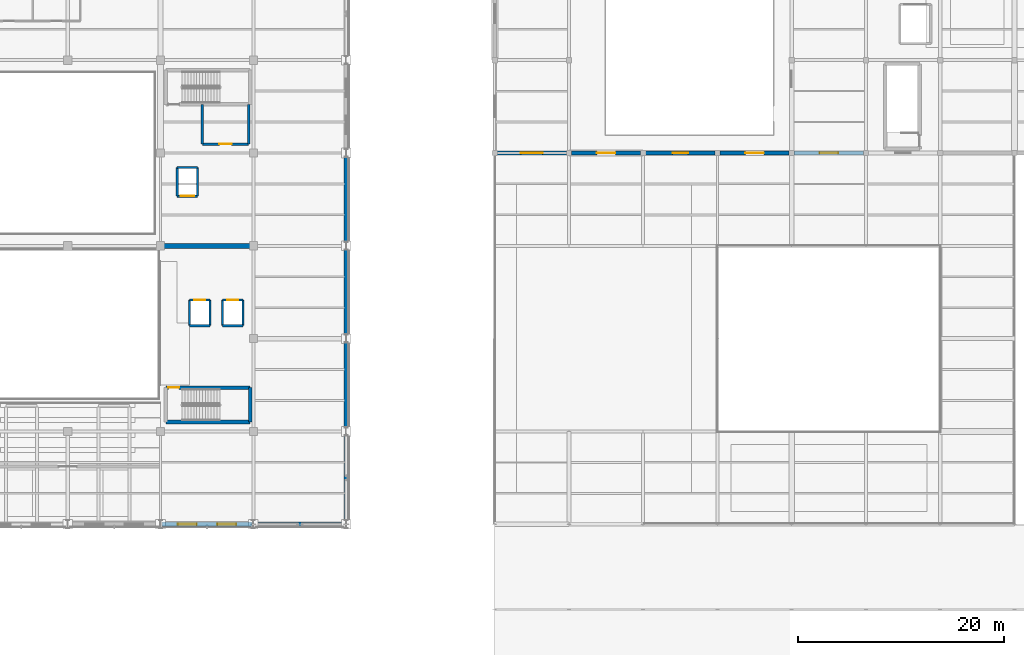
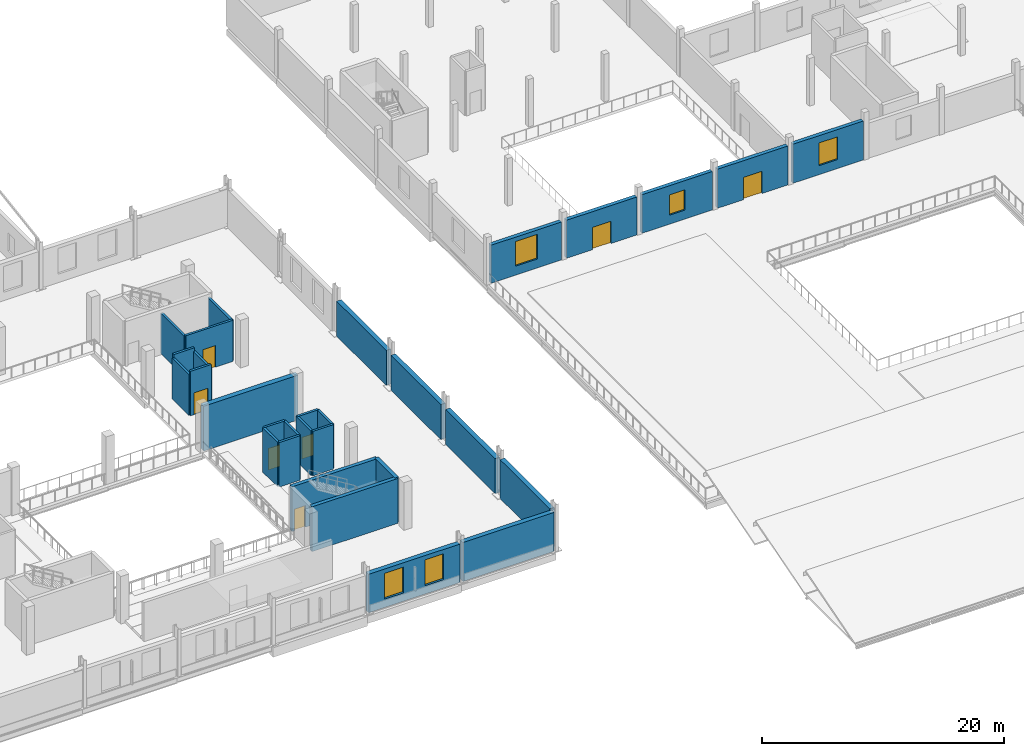
# One storey, part 34 of 54: 30 walls, 7 doors, 5 windows, 12 openings.
"""IFC4 building model written with IfcOpenShell, lengths in metres."""

from ifc_helpers import new_model, si_unit, direction, frame, frame_2d, origin, place, context, subcontext, project, spatial, rectangle, extrude, material, layer, layer_set, type_object, element, fill, save


model = new_model("IFC4")

# Units and contexts
model_context = context("Model", 3, precision=1e-05, world=origin(), true_north=direction((0.0, 1.0)))
body_context = subcontext(model_context, "Body", "Model", "MODEL_VIEW")
ifc_project = project(units=[si_unit("LENGTHUNIT", "METRE"), si_unit("AREAUNIT", "SQUARE_METRE"), si_unit("VOLUMEUNIT", "CUBIC_METRE"), si_unit("PLANEANGLEUNIT", "RADIAN"), si_unit("MASSUNIT", "GRAM", prefix="KILO")], contexts=[model_context])

# Site, building, storey
site_placement = place(None, origin())
site = spatial("IfcSite", under=ifc_project, at=site_placement, CompositionType="ELEMENT")
building_placement = place(site_placement, origin())
building = spatial("IfcBuilding", under=site, at=building_placement, Name="Sundgate Opera House", CompositionType="ELEMENT")
storey_placement = place(building_placement, frame((0.0, 0.0, 16.800048828125)))
storey = spatial("IfcBuildingStorey", under=building, at=storey_placement, Name="L03", CompositionType="ELEMENT", Elevation=16.800048828125)

# Wall
ifc_material_1 = material(Name="Concrete C40/50", Category="concrete")
ifc_layer_1 = layer(ifc_material_1, 0.35009765625)
ifc_layer_set_1 = layer_set([ifc_layer_1], Name="Concrete C40/50")
wall_type_1 = type_object("IfcWallType", Name="WL-CORE-350", PredefinedType="SHEAR", material=ifc_layer_set_1)
wall_1_placement = place(storey_placement, frame((63.510009765625, 42.909912109375, 0.0), z_axis=(0.0, 0.0, 1.0), x_axis=(1.0, 0.0, 0.0)))
element("IfcWall", 1, at=wall_1_placement, inside=storey, type_object=wall_type_1, Name="L03 C3 South Shaft Wall", PredefinedType="SHEAR", context=body_context, shape_type="SweptSolid", body=[
    extrude(rectangle(XDim=8.179931640625, YDim=0.35009765625, at=frame_2d((4.08984375, 0.0))), origin(), (0.0, 0.0, 1.0), 4.52001953125),
])

# Wall, opening, door
wall_2_placement = place(storey_placement, frame((63.510009765625, 46.239990234375, 0.0), z_axis=(0.0, 0.0, 1.0), x_axis=(1.0, 0.0, 0.0)))
wall_2 = element("IfcWall", 2, at=wall_2_placement, inside=storey, type_object=wall_type_1, Name="L03 C3 North Shaft Wall", PredefinedType="SHEAR", context=body_context, shape_type="SweptSolid", body=[
    extrude(rectangle(XDim=8.179931640625, YDim=0.35009765625, at=frame_2d((4.08984375, 0.0))), origin(), (0.0, 0.0, 1.0), 4.52001953125),
])
opening_1_placement = place(wall_2_placement, frame((0.239990234375, 0.0, 0.0)))
opening_1 = element("IfcOpeningElement", 3, at=opening_1_placement, cuts=wall_2, Name="Opening DI01", PredefinedType="OPENING", context=body_context, shape_type="SweptSolid", body=[
    extrude(rectangle(XDim=1.050048828125, YDim=2.179931640625, at=frame_2d((0.52490234375, 1.08984375))), frame((0.0, 0.18505859375, 0.0), z_axis=(0.0, -1.0, 0.0), x_axis=(1.0, 0.0, 0.0)), (0.0, 0.0, 1.0), 0.3701171875),
])
ifc_material_2 = material(Name="Acoustic hardwood timber and steel core", Category="steel")
door_type_1 = type_object("IfcDoorType", Name="DR-STAIR-1050x2180", OperationType="NOTDEFINED", PredefinedType="DOOR", material=ifc_material_2)
door_1_placement = place(opening_1_placement, origin())
door_1 = element("IfcDoor", 4, at=door_1_placement, inside=storey, type_object=door_type_1, Name="L03 C3 Stair Door D0052", OperationType="SINGLE_SWING_RIGHT", OverallHeight=2.179931640625, OverallWidth=1.050048828125, PredefinedType="DOOR", context=body_context, shape_type="SweptSolid", body=[
    extrude(rectangle(XDim=1.050048828125, YDim=2.179931640625, at=frame_2d((0.52490234375, 1.08984375))), frame((0.0, 0.02490234375, 0.0), z_axis=(0.0, -1.0, 0.0), x_axis=(1.0, 0.0, 0.0)), (0.0, 0.0, 1.0), 0.050048828125),
])
fill(opening_1, door_1)

# Wall
wall_3_placement = place(storey_placement, frame((71.68994140625, 42.909912109375, 0.0), z_axis=(0.0, 0.0, 1.0), x_axis=(0.0, 1.0, 0.0)))
element("IfcWall", 5, at=wall_3_placement, inside=storey, type_object=wall_type_1, Name="L03 C3 East Shaft Wall", PredefinedType="SHEAR", context=body_context, shape_type="SweptSolid", body=[
    extrude(rectangle(XDim=3.330078125, YDim=0.35009765625, at=frame_2d((1.6650390625, 0.0))), origin(), (0.0, 0.0, 1.0), 4.52001953125),
])

# Wall, opening, window
ifc_material_3 = material(Name="Scanian red-brown facing brick masonry", Category="masonry")
ifc_layer_2 = layer(ifc_material_3, 0.360107421875)
ifc_layer_set_2 = layer_set([ifc_layer_2], Name="Scanian red-brown facing brick masonry")
wall_type_2 = type_object("IfcWallType", Name="WL-EXT-BRICK-360", PredefinedType="SOLIDWALL", material=ifc_layer_set_2)
wall_4_placement = place(storey_placement, frame((102.35498046875, 69.0, 0.0), z_axis=(0.0, 0.0, 1.0), x_axis=(-1.0, 0.0, 0.0)))
wall_4 = element("IfcWall", 6, at=wall_4_placement, inside=storey, type_object=wall_type_2, Name="L03 Conservatory South Brick Wall W0257", PredefinedType="SOLIDWALL", context=body_context, shape_type="SweptSolid", body=[
    extrude(rectangle(XDim=6.7099609375, YDim=0.360107421875, at=frame_2d((3.35498046875, 0.0))), origin(), (0.0, 0.0, 1.0), 3.8349609375),
])
opening_2_placement = place(wall_4_placement, frame((2.304931640625, 0.0, 0.89990234375)))
opening_2 = element("IfcOpeningElement", 7, at=opening_2_placement, cuts=wall_4, Name="Opening W04", PredefinedType="OPENING", context=body_context, shape_type="SweptSolid", body=[
    extrude(rectangle(XDim=2.10009765625, YDim=2.5, at=frame_2d((1.050048828125, 1.25))), frame((0.0, 0.18994140625, 0.0), z_axis=(0.0, -1.0, 0.0), x_axis=(1.0, 0.0, 0.0)), (0.0, 0.0, 1.0), 0.380126953125),
])
ifc_material_4 = material(Name="Low-iron triple glazing in patinated bronze frame", Category="glass")
window_type_1 = type_object("IfcWindowType", Name="WN-CONS-2100x2500", PartitioningType="SINGLE_PANEL", PredefinedType="WINDOW", material=ifc_material_4)
window_1_placement = place(opening_2_placement, origin())
window_1 = element("IfcWindow", 8, at=window_1_placement, inside=storey, type_object=window_type_1, Name="L03 Conservatory Window WN0205", OverallHeight=2.5, OverallWidth=2.10009765625, PartitioningType="SINGLE_PANEL", PredefinedType="WINDOW", context=body_context, shape_type="SweptSolid", body=[
    extrude(rectangle(XDim=2.10009765625, YDim=2.5, at=frame_2d((1.050048828125, 1.25))), frame((0.0, 0.030029296875, 0.0), z_axis=(0.0, -1.0, 0.0), x_axis=(1.0, 0.0, 0.0)), (0.0, 0.0, 1.0), 0.06005859375),
])
fill(opening_2, window_1)

# Wall, opening, door
wall_5_placement = place(storey_placement, frame((109.554931640625, 69.0, 0.0), z_axis=(0.0, 0.0, 1.0), x_axis=(-1.0, 0.0, 0.0)))
wall_5 = element("IfcWall", 9, at=wall_5_placement, inside=storey, type_object=wall_type_2, Name="L03 Conservatory South Brick Wall W0258", PredefinedType="SOLIDWALL", context=body_context, shape_type="SweptSolid", body=[
    extrude(rectangle(XDim=6.7099609375, YDim=0.360107421875, at=frame_2d((3.35498046875, 0.0))), origin(), (0.0, 0.0, 1.0), 3.8349609375),
])
opening_3_placement = place(wall_5_placement, frame((2.455078125, 0.0, 0.0)))
opening_3 = element("IfcOpeningElement", 10, at=opening_3_placement, cuts=wall_5, Name="Opening DE2", PredefinedType="OPENING", context=body_context, shape_type="SweptSolid", body=[
    extrude(rectangle(XDim=1.800048828125, YDim=2.25, at=frame_2d((0.89990234375, 1.125))), frame((0.0, 0.18994140625, 0.0), z_axis=(0.0, -1.0, 0.0), x_axis=(1.0, 0.0, 0.0)), (0.0, 0.0, 1.0), 0.380126953125),
])
ifc_material_5 = material(Name="Patinated bronze and laminated safety glass", Category="glass")
door_type_2 = type_object("IfcDoorType", Name="DR-TERR-1800x2250", OperationType="NOTDEFINED", PredefinedType="DOOR", material=ifc_material_5)
door_2_placement = place(opening_3_placement, origin())
door_2 = element("IfcDoor", 11, at=door_2_placement, inside=storey, type_object=door_type_2, Name="L03 Roof Terrace Access Door D0023", OperationType="SINGLE_SWING_RIGHT", OverallHeight=2.25, OverallWidth=1.800048828125, PredefinedType="DOOR", context=body_context, shape_type="SweptSolid", body=[
    extrude(rectangle(XDim=1.800048828125, YDim=2.25, at=frame_2d((0.89990234375, 1.125))), frame((0.0, 0.02490234375, 0.0), z_axis=(0.0, -1.0, 0.0), x_axis=(1.0, 0.0, 0.0)), (0.0, 0.0, 1.0), 0.050048828125),
])
fill(opening_3, door_2)

# Wall, opening, window
wall_6_placement = place(storey_placement, frame((116.7548828125, 69.0, 0.0), z_axis=(0.0, 0.0, 1.0), x_axis=(-1.0, 0.0, 0.0)))
wall_6 = element("IfcWall", 12, at=wall_6_placement, inside=storey, type_object=wall_type_2, Name="L03 Conservatory South Brick Wall W0259", PredefinedType="SOLIDWALL", context=body_context, shape_type="SweptSolid", body=[
    extrude(rectangle(XDim=6.7099609375, YDim=0.360107421875, at=frame_2d((3.35498046875, 0.0))), origin(), (0.0, 0.0, 1.0), 3.885009765625),
])
opening_4_placement = place(wall_6_placement, frame((2.60498046875, 0.0, 0.89990234375)))
opening_4 = element("IfcOpeningElement", 13, at=opening_4_placement, cuts=wall_6, Name="Opening W06", PredefinedType="OPENING", context=body_context, shape_type="SweptSolid", body=[
    extrude(rectangle(XDim=1.5, YDim=2.050048828125, at=frame_2d((0.75, 1.02490234375))), frame((0.0, 0.18994140625, 0.0), z_axis=(0.0, -1.0, 0.0), x_axis=(1.0, 0.0, 0.0)), (0.0, 0.0, 1.0), 0.380126953125),
])
ifc_material_6 = material(Name="Low-iron triple glazing in patinated bronze frame", Category="glass")
window_type_2 = type_object("IfcWindowType", Name="WN-CONS-1500x2050", PartitioningType="SINGLE_PANEL", PredefinedType="WINDOW", material=ifc_material_6)
window_2_placement = place(opening_4_placement, origin())
window_2 = element("IfcWindow", 14, at=window_2_placement, inside=storey, type_object=window_type_2, Name="L03 Conservatory Window WN0206", OverallHeight=2.050048828125, OverallWidth=1.5, PartitioningType="SINGLE_PANEL", PredefinedType="WINDOW", context=body_context, shape_type="SweptSolid", body=[
    extrude(rectangle(XDim=1.5, YDim=2.050048828125, at=frame_2d((0.75, 1.02490234375))), frame((0.0, 0.030029296875, 0.0), z_axis=(0.0, -1.0, 0.0), x_axis=(1.0, 0.0, 0.0)), (0.0, 0.0, 1.0), 0.06005859375),
])
fill(opening_4, window_2)

# Wall, opening, door
wall_7_placement = place(storey_placement, frame((123.955078125, 69.0, 0.0), z_axis=(0.0, 0.0, 1.0), x_axis=(-1.0, 0.0, 0.0)))
wall_7 = element("IfcWall", 15, at=wall_7_placement, inside=storey, type_object=wall_type_2, Name="L03 Conservatory South Brick Wall W0260", PredefinedType="SOLIDWALL", context=body_context, shape_type="SweptSolid", body=[
    extrude(rectangle(XDim=6.7099609375, YDim=0.360107421875, at=frame_2d((3.35498046875, 0.0))), origin(), (0.0, 0.0, 1.0), 3.93505859375),
])
opening_5_placement = place(wall_7_placement, frame((2.455078125, 0.0, 0.0)))
opening_5 = element("IfcOpeningElement", 16, at=opening_5_placement, cuts=wall_7, Name="Opening DE2", PredefinedType="OPENING", context=body_context, shape_type="SweptSolid", body=[
    extrude(rectangle(XDim=1.800048828125, YDim=2.25, at=frame_2d((0.89990234375, 1.125))), frame((0.0, 0.18994140625, 0.0), z_axis=(0.0, -1.0, 0.0), x_axis=(1.0, 0.0, 0.0)), (0.0, 0.0, 1.0), 0.380126953125),
])
door_3_placement = place(opening_5_placement, origin())
door_3 = element("IfcDoor", 17, at=door_3_placement, inside=storey, type_object=door_type_2, Name="L03 Roof Terrace Access Door D0024", OperationType="SINGLE_SWING_LEFT", OverallHeight=2.25, OverallWidth=1.800048828125, PredefinedType="DOOR", context=body_context, shape_type="SweptSolid", body=[
    extrude(rectangle(XDim=1.800048828125, YDim=2.25, at=frame_2d((0.89990234375, 1.125))), frame((0.0, 0.02490234375, 0.0), z_axis=(0.0, -1.0, 0.0), x_axis=(1.0, 0.0, 0.0)), (0.0, 0.0, 1.0), 0.050048828125),
])
fill(opening_5, door_3)

# Wall, opening, window
wall_8_placement = place(storey_placement, frame((131.155029296875, 69.0, 0.0), z_axis=(0.0, 0.0, 1.0), x_axis=(-1.0, 0.0, 0.0)))
wall_8 = element("IfcWall", 18, at=wall_8_placement, inside=storey, type_object=wall_type_2, Name="L03 Conservatory South Brick Wall W0261", PredefinedType="SOLIDWALL", context=body_context, shape_type="SweptSolid", body=[
    extrude(rectangle(XDim=6.7099609375, YDim=0.360107421875, at=frame_2d((3.35498046875, 0.0))), origin(), (0.0, 0.0, 1.0), 3.93505859375),
])
opening_6_placement = place(wall_8_placement, frame((2.455078125, 0.0, 0.89990234375)))
opening_6 = element("IfcOpeningElement", 19, at=opening_6_placement, cuts=wall_8, Name="Opening W05", PredefinedType="OPENING", context=body_context, shape_type="SweptSolid", body=[
    extrude(rectangle(XDim=1.800048828125, YDim=2.300048828125, at=frame_2d((0.89990234375, 1.14990234375))), frame((0.0, 0.18994140625, 0.0), z_axis=(0.0, -1.0, 0.0), x_axis=(1.0, 0.0, 0.0)), (0.0, 0.0, 1.0), 0.380126953125),
])
ifc_material_7 = material(Name="Low-iron triple glazing in patinated bronze frame", Category="glass")
window_type_3 = type_object("IfcWindowType", Name="WN-CONS-1800x2300", PartitioningType="SINGLE_PANEL", PredefinedType="WINDOW", material=ifc_material_7)
window_3_placement = place(opening_6_placement, origin())
window_3 = element("IfcWindow", 20, at=window_3_placement, inside=storey, type_object=window_type_3, Name="L03 Conservatory Window WN0207", OverallHeight=2.300048828125, OverallWidth=1.800048828125, PartitioningType="SINGLE_PANEL", PredefinedType="WINDOW", context=body_context, shape_type="SweptSolid", body=[
    extrude(rectangle(XDim=1.800048828125, YDim=2.300048828125, at=frame_2d((0.89990234375, 1.14990234375))), frame((0.0, 0.030029296875, 0.0), z_axis=(0.0, -1.0, 0.0), x_axis=(1.0, 0.0, 0.0)), (0.0, 0.0, 1.0), 0.06005859375),
])
fill(opening_6, window_3)

# Wall, openings, windows
ifc_material_8 = material(Name="Komstad limestone ashlar masonry", Category="masonry")
ifc_layer_3 = layer(ifc_material_8, 0.43994140625)
ifc_layer_set_3 = layer_set([ifc_layer_3], Name="Komstad limestone ashlar masonry")
wall_type_3 = type_object("IfcWallType", Name="WL-EXT-LIME-440", PredefinedType="SOLIDWALL", material=ifc_layer_set_3)
wall_9_placement = place(storey_placement, frame((71.85498046875, 33.0, 0.0), z_axis=(0.0, 0.0, 1.0), x_axis=(-1.0, 0.0, 0.0)))
wall_9 = element("IfcWall", 21, at=wall_9_placement, inside=storey, type_object=wall_type_3, Name="L03 Lifted Cube South Relief Wall W0077", PredefinedType="SOLIDWALL", context=body_context, shape_type="SweptSolid", body=[
    extrude(rectangle(XDim=8.7099609375, YDim=0.43994140625, at=frame_2d((4.35498046875, 0.0))), origin(), (0.0, 0.0, 1.0), 3.885009765625),
])
opening_7_placement = place(wall_9_placement, frame((1.5390625, 0.0, 0.85009765625)))
opening_7 = element("IfcOpeningElement", 22, at=opening_7_placement, cuts=wall_9, Name="Opening W01", PredefinedType="OPENING", context=body_context, shape_type="SweptSolid", body=[
    extrude(rectangle(XDim=1.800048828125, YDim=2.60009765625, at=frame_2d((0.89990234375, 1.300048828125))), frame((0.0, 0.22998046875, 0.0), z_axis=(0.0, -1.0, 0.0), x_axis=(1.0, 0.0, 0.0)), (0.0, 0.0, 1.0), 0.4599609375),
])
opening_8_placement = place(wall_9_placement, frame((5.37109375, 0.0, 0.85009765625)))
opening_8 = element("IfcOpeningElement", 23, at=opening_8_placement, cuts=wall_9, Name="Opening W01", PredefinedType="OPENING", context=body_context, shape_type="SweptSolid", body=[
    extrude(rectangle(XDim=1.800048828125, YDim=2.60009765625, at=frame_2d((0.89990234375, 1.300048828125))), frame((0.0, 0.22998046875, 0.0), z_axis=(0.0, -1.0, 0.0), x_axis=(1.0, 0.0, 0.0)), (0.0, 0.0, 1.0), 0.4599609375),
])
ifc_material_9 = material(Name="Low-iron triple glazing in patinated bronze frame", Category="glass")
window_type_4 = type_object("IfcWindowType", Name="WN-CUBE-1800x2600", PartitioningType="SINGLE_PANEL", PredefinedType="WINDOW", material=ifc_material_9)
window_4_placement = place(opening_7_placement, origin())
window_4 = element("IfcWindow", 24, at=window_4_placement, inside=storey, type_object=window_type_4, Name="L03 Cube Loggia Window WN0043", OverallHeight=2.60009765625, OverallWidth=1.800048828125, PartitioningType="SINGLE_PANEL", PredefinedType="WINDOW", context=body_context, shape_type="SweptSolid", body=[
    extrude(rectangle(XDim=1.800048828125, YDim=2.60009765625, at=frame_2d((0.89990234375, 1.300048828125))), frame((0.0, 0.030029296875, 0.0), z_axis=(0.0, -1.0, 0.0), x_axis=(1.0, 0.0, 0.0)), (0.0, 0.0, 1.0), 0.06005859375),
])
fill(opening_7, window_4)
window_5_placement = place(opening_8_placement, origin())
window_5 = element("IfcWindow", 25, at=window_5_placement, inside=storey, type_object=window_type_4, Name="L03 Cube Loggia Window WN0044", OverallHeight=2.60009765625, OverallWidth=1.800048828125, PartitioningType="SINGLE_PANEL", PredefinedType="WINDOW", context=body_context, shape_type="SweptSolid", body=[
    extrude(rectangle(XDim=1.800048828125, YDim=2.60009765625, at=frame_2d((0.89990234375, 1.300048828125))), frame((0.0, 0.030029296875, 0.0), z_axis=(0.0, -1.0, 0.0), x_axis=(1.0, 0.0, 0.0)), (0.0, 0.0, 1.0), 0.06005859375),
])
fill(opening_8, window_5)

# Walls
wall_10_placement = place(storey_placement, frame((80.85498046875, 33.0, 0.0), z_axis=(0.0, 0.0, 1.0), x_axis=(-1.0, 0.0, 0.0)))
element("IfcWall", 26, at=wall_10_placement, inside=storey, type_object=wall_type_3, Name="L03 Lifted Cube South Relief Wall W0079", PredefinedType="SOLIDWALL", context=body_context, shape_type="SweptSolid", body=[
    extrude(rectangle(XDim=8.7099609375, YDim=0.43994140625, at=frame_2d((4.35498046875, 0.0))), origin(), (0.0, 0.0, 1.0), 3.93505859375),
])
wall_11_placement = place(storey_placement, frame((81.0, 33.39501953125, 0.0), z_axis=(0.0, 0.0, 1.0), x_axis=(0.0, 1.0, 0.0)))
element("IfcWall", 27, at=wall_11_placement, inside=storey, type_object=wall_type_3, Name="L03 Lifted Cube East Relief Wall W0082", PredefinedType="SOLIDWALL", context=body_context, shape_type="SweptSolid", body=[
    extrude(rectangle(XDim=8.2099609375, YDim=0.43994140625, at=frame_2d((4.10498046875, 0.0))), origin(), (0.0, 0.0, 1.0), 3.93505859375),
])
for number, where, z_axis, x_axis, name in (
    (28, (81.0, 42.39501953125, 0.0), (0.0, 0.0, 1.0), (0.0, 1.0, 0.0), "L03 Lifted Cube East Relief Wall W0084"),
    (29, (81.0, 51.39501953125, 0.0), (0.0, 0.0, 1.0), (0.0, 1.0, 0.0), "L03 Lifted Cube East Relief Wall W0086"),
    (30, (81.0, 60.39501953125, 0.0), (0.0, 0.0, 1.0), (0.0, 1.0, 0.0), "L03 Lifted Cube East Relief Wall W0088"),
):
    element("IfcWall", number, at=place(storey_placement, frame(where, z_axis=z_axis, x_axis=x_axis)), inside=storey, type_object=wall_type_3, Name=name, PredefinedType="SOLIDWALL", context=body_context, shape_type="SweptSolid", body=[
        extrude(rectangle(XDim=8.2099609375, YDim=0.43994140625, at=frame_2d((4.10498046875, 0.0))), origin(), (0.0, 0.0, 1.0), 3.534912109375),
    ])

# Wall, opening, door
ifc_material_10 = material(Name="Fire-rated gypsum and mineral-wool shaft partition", Category="gypsum")
ifc_layer_4 = layer(ifc_material_10, 0.219970703125)
ifc_layer_set_4 = layer_set([ifc_layer_4], Name="Fire-rated gypsum and mineral-wool shaft partition")
wall_type_4 = type_object("IfcWallType", Name="WL-INT-FIRE-220", PredefinedType="PARTITIONING", material=ifc_layer_set_4)
wall_12_placement = place(storey_placement, frame((67.050048828125, 69.85009765625, 0.0), z_axis=(0.0, 0.0, 1.0), x_axis=(1.0, 0.0, 0.0)))
wall_12 = element("IfcWall", 31, at=wall_12_placement, inside=storey, type_object=wall_type_4, Name="L03 C4 Firefighting Lobby South Wall", PredefinedType="PARTITIONING", context=body_context, shape_type="SweptSolid", body=[
    extrude(rectangle(XDim=4.5, YDim=0.219970703125, at=frame_2d((2.25, 0.0))), origin(), (0.0, 0.0, 1.0), 4.155029296875),
])
opening_9_placement = place(wall_12_placement, frame((1.64990234375, 0.0, 0.0)))
opening_9 = element("IfcOpeningElement", 32, at=opening_9_placement, cuts=wall_12, Name="Opening DI02", PredefinedType="OPENING", context=body_context, shape_type="SweptSolid", body=[
    extrude(rectangle(XDim=1.199951171875, YDim=2.179931640625, at=frame_2d((0.60009765625, 1.08984375))), frame((0.0, 0.119873046875, 0.0), z_axis=(0.0, -1.0, 0.0), x_axis=(1.0, 0.0, 0.0)), (0.0, 0.0, 1.0), 0.239990234375),
])
ifc_material_11 = material(Name="Acoustic hardwood timber and steel core", Category="steel")
door_type_3 = type_object("IfcDoorType", Name="DR-FFLOB-1200x2180", OperationType="NOTDEFINED", PredefinedType="DOOR", material=ifc_material_11)
door_4_placement = place(opening_9_placement, origin())
door_4 = element("IfcDoor", 33, at=door_4_placement, inside=storey, type_object=door_type_3, Name="L03 C4 Firefighting Lobby Door D0065", OperationType="SINGLE_SWING_LEFT", OverallHeight=2.179931640625, OverallWidth=1.199951171875, PredefinedType="DOOR", context=body_context, shape_type="SweptSolid", body=[
    extrude(rectangle(XDim=1.199951171875, YDim=2.179931640625, at=frame_2d((0.60009765625, 1.08984375))), frame((0.0, 0.02490234375, 0.0), z_axis=(0.0, -1.0, 0.0), x_axis=(1.0, 0.0, 0.0)), (0.0, 0.0, 1.0), 0.050048828125),
])
fill(opening_9, door_4)

# Walls
for number, where, z_axis, x_axis, name in (
    (34, (67.050048828125, 69.85009765625, 0.0), (0.0, 0.0, 1.0), (0.0, 1.0, 0.0), "L03 C4 Firefighting Lobby West Wall"),
    (35, (71.550048828125, 69.85009765625, 0.0), (0.0, 0.0, 1.0), (0.0, 1.0, 0.0), "L03 C4 Firefighting Lobby East Wall"),
):
    element("IfcWall", number, at=place(storey_placement, frame(where, z_axis=z_axis, x_axis=x_axis)), inside=storey, type_object=wall_type_4, Name=name, PredefinedType="PARTITIONING", context=body_context, shape_type="SweptSolid", body=[
        extrude(rectangle(XDim=3.85986328125, YDim=0.219970703125, at=frame_2d((1.929931640625, 0.0))), origin(), (0.0, 0.0, 1.0), 4.0849609375),
    ])
wall_13_placement = place(storey_placement, frame((65.81005859375, 52.260009765625, 0.0), z_axis=(0.0, 0.0, 1.0), x_axis=(1.0, 0.0, 0.0)))
element("IfcWall", 36, at=wall_13_placement, inside=storey, type_object=wall_type_4, Name="L03 LF-01 South Shaft Wall", PredefinedType="PARTITIONING", context=body_context, shape_type="SweptSolid", body=[
    extrude(rectangle(XDim=1.97998046875, YDim=0.219970703125, at=frame_2d((0.989990234375, 0.0))), origin(), (0.0, 0.0, 1.0), 4.48486328125),
])

# Wall, opening, door
wall_14_placement = place(storey_placement, frame((65.81005859375, 54.739990234375, 0.0), z_axis=(0.0, 0.0, 1.0), x_axis=(1.0, 0.0, 0.0)))
wall_14 = element("IfcWall", 37, at=wall_14_placement, inside=storey, type_object=wall_type_4, Name="L03 LF-01 North Shaft Wall", PredefinedType="PARTITIONING", context=body_context, shape_type="SweptSolid", body=[
    extrude(rectangle(XDim=1.97998046875, YDim=0.219970703125, at=frame_2d((0.989990234375, 0.0))), origin(), (0.0, 0.0, 1.0), 4.48486328125),
])
opening_10_placement = place(wall_14_placement, frame((0.43994140625, 0.0, 0.0)))
opening_10 = element("IfcOpeningElement", 38, at=opening_10_placement, cuts=wall_14, Name="Opening LD1", PredefinedType="OPENING", context=body_context, shape_type="SweptSolid", body=[
    extrude(rectangle(XDim=1.10009765625, YDim=2.179931640625, at=frame_2d((0.550048828125, 1.08984375))), frame((0.0, 0.119873046875, 0.0), z_axis=(0.0, -1.0, 0.0), x_axis=(1.0, 0.0, 0.0)), (0.0, 0.0, 1.0), 0.239990234375),
])
ifc_material_12 = material(Name="Brushed stainless steel EN 1.4301", Category="steel")
door_type_4 = type_object("IfcDoorType", Name="DR-LIFT-1100x2180", OperationType="DOUBLE_DOOR_SLIDING", PredefinedType="DOOR", material=ifc_material_12)
door_5_placement = place(opening_10_placement, origin())
door_5 = element("IfcDoor", 39, at=door_5_placement, inside=storey, type_object=door_type_4, Name="L03 LF-01 Landing Door D0096", OperationType="DOUBLE_DOOR_SLIDING", OverallHeight=2.179931640625, OverallWidth=1.10009765625, PredefinedType="DOOR", context=body_context, shape_type="SweptSolid", body=[
    extrude(rectangle(XDim=1.10009765625, YDim=2.179931640625, at=frame_2d((0.550048828125, 1.08984375))), frame((0.0, 0.02490234375, 0.0), z_axis=(0.0, -1.0, 0.0), x_axis=(1.0, 0.0, 0.0)), (0.0, 0.0, 1.0), 0.050048828125),
])
fill(opening_10, door_5)

# Walls
for number, where, z_axis, x_axis, name in (
    (40, (65.81005859375, 52.260009765625, 0.0), (0.0, 0.0, 1.0), (0.0, 1.0, 0.0), "L03 LF-01 West Shaft Wall"),
    (41, (67.7900390625, 52.260009765625, 0.0), (0.0, 0.0, 1.0), (0.0, 1.0, 0.0), "L03 LF-01 East Shaft Wall"),
):
    element("IfcWall", number, at=place(storey_placement, frame(where, z_axis=z_axis, x_axis=x_axis)), inside=storey, type_object=wall_type_4, Name=name, PredefinedType="PARTITIONING", context=body_context, shape_type="SweptSolid", body=[
        extrude(rectangle(XDim=2.47998046875, YDim=0.219970703125, at=frame_2d((1.239990234375, 0.0))), origin(), (0.0, 0.0, 1.0), 4.48486328125),
    ])
wall_15_placement = place(storey_placement, frame((69.010009765625, 52.260009765625, 0.0), z_axis=(0.0, 0.0, 1.0), x_axis=(1.0, 0.0, 0.0)))
element("IfcWall", 42, at=wall_15_placement, inside=storey, type_object=wall_type_4, Name="L03 LF-02 South Shaft Wall", PredefinedType="PARTITIONING", context=body_context, shape_type="SweptSolid", body=[
    extrude(rectangle(XDim=1.97998046875, YDim=0.219970703125, at=frame_2d((0.989990234375, 0.0))), origin(), (0.0, 0.0, 1.0), 4.48486328125),
])

# Wall, opening, door
wall_16_placement = place(storey_placement, frame((69.010009765625, 54.739990234375, 0.0), z_axis=(0.0, 0.0, 1.0), x_axis=(1.0, 0.0, 0.0)))
wall_16 = element("IfcWall", 43, at=wall_16_placement, inside=storey, type_object=wall_type_4, Name="L03 LF-02 North Shaft Wall", PredefinedType="PARTITIONING", context=body_context, shape_type="SweptSolid", body=[
    extrude(rectangle(XDim=1.97998046875, YDim=0.219970703125, at=frame_2d((0.989990234375, 0.0))), origin(), (0.0, 0.0, 1.0), 4.48486328125),
])
opening_11_placement = place(wall_16_placement, frame((0.43994140625, 0.0, 0.0)))
opening_11 = element("IfcOpeningElement", 44, at=opening_11_placement, cuts=wall_16, Name="Opening LD1", PredefinedType="OPENING", context=body_context, shape_type="SweptSolid", body=[
    extrude(rectangle(XDim=1.10009765625, YDim=2.179931640625, at=frame_2d((0.550048828125, 1.08984375))), frame((0.0, 0.119873046875, 0.0), z_axis=(0.0, -1.0, 0.0), x_axis=(1.0, 0.0, 0.0)), (0.0, 0.0, 1.0), 0.239990234375),
])
door_6_placement = place(opening_11_placement, origin())
door_6 = element("IfcDoor", 45, at=door_6_placement, inside=storey, type_object=door_type_4, Name="L03 LF-02 Landing Door D0103", OperationType="DOUBLE_DOOR_SLIDING", OverallHeight=2.179931640625, OverallWidth=1.10009765625, PredefinedType="DOOR", context=body_context, shape_type="SweptSolid", body=[
    extrude(rectangle(XDim=1.10009765625, YDim=2.179931640625, at=frame_2d((0.550048828125, 1.08984375))), frame((0.0, 0.02490234375, 0.0), z_axis=(0.0, -1.0, 0.0), x_axis=(1.0, 0.0, 0.0)), (0.0, 0.0, 1.0), 0.050048828125),
])
fill(opening_11, door_6)

# Walls
for number, where, z_axis, x_axis, name in (
    (46, (69.010009765625, 52.260009765625, 0.0), (0.0, 0.0, 1.0), (0.0, 1.0, 0.0), "L03 LF-02 West Shaft Wall"),
    (47, (70.989990234375, 52.260009765625, 0.0), (0.0, 0.0, 1.0), (0.0, 1.0, 0.0), "L03 LF-02 East Shaft Wall"),
):
    element("IfcWall", number, at=place(storey_placement, frame(where, z_axis=z_axis, x_axis=x_axis)), inside=storey, type_object=wall_type_4, Name=name, PredefinedType="PARTITIONING", context=body_context, shape_type="SweptSolid", body=[
        extrude(rectangle(XDim=2.47998046875, YDim=0.219970703125, at=frame_2d((1.239990234375, 0.0))), origin(), (0.0, 0.0, 1.0), 4.48486328125),
    ])

# Wall, opening, door
wall_17_placement = place(storey_placement, frame((64.610107421875, 64.81005859375, 0.0), z_axis=(0.0, 0.0, 1.0), x_axis=(1.0, 0.0, 0.0)))
wall_17 = element("IfcWall", 48, at=wall_17_placement, inside=storey, type_object=wall_type_4, Name="L03 FF2 South Shaft Wall", PredefinedType="PARTITIONING", context=body_context, shape_type="SweptSolid", body=[
    extrude(rectangle(XDim=1.97998046875, YDim=0.219970703125, at=frame_2d((0.989990234375, 0.0))), origin(), (0.0, 0.0, 1.0), 4.48486328125),
])
opening_12_placement = place(wall_17_placement, frame((0.340087890625, 0.0, 0.0)))
opening_12 = element("IfcOpeningElement", 49, at=opening_12_placement, cuts=wall_17, Name="Opening LD2", PredefinedType="OPENING", context=body_context, shape_type="SweptSolid", body=[
    extrude(rectangle(XDim=1.300048828125, YDim=2.199951171875, at=frame_2d((0.64990234375, 1.10009765625))), frame((0.0, 0.119873046875, 0.0), z_axis=(0.0, -1.0, 0.0), x_axis=(1.0, 0.0, 0.0)), (0.0, 0.0, 1.0), 0.239990234375),
])
ifc_material_13 = material(Name="Brushed stainless steel EN 1.4301", Category="steel")
door_type_5 = type_object("IfcDoorType", Name="DR-LIFT-1300x2200", OperationType="DOUBLE_DOOR_SLIDING", PredefinedType="DOOR", material=ifc_material_13)
door_7_placement = place(opening_12_placement, origin())
door_7 = element("IfcDoor", 50, at=door_7_placement, inside=storey, type_object=door_type_5, Name="L03 FF2 Landing Door D0140", OperationType="DOUBLE_DOOR_SLIDING", OverallHeight=2.199951171875, OverallWidth=1.300048828125, PredefinedType="DOOR", context=body_context, shape_type="SweptSolid", body=[
    extrude(rectangle(XDim=1.300048828125, YDim=2.199951171875, at=frame_2d((0.64990234375, 1.10009765625))), frame((0.0, 0.02490234375, 0.0), z_axis=(0.0, -1.0, 0.0), x_axis=(1.0, 0.0, 0.0)), (0.0, 0.0, 1.0), 0.050048828125),
])
fill(opening_12, door_7)

# Walls
wall_18_placement = place(storey_placement, frame((64.610107421875, 67.590087890625, 0.0), z_axis=(0.0, 0.0, 1.0), x_axis=(1.0, 0.0, 0.0)))
element("IfcWall", 51, at=wall_18_placement, inside=storey, type_object=wall_type_4, Name="L03 FF2 North Shaft Wall", PredefinedType="PARTITIONING", context=body_context, shape_type="SweptSolid", body=[
    extrude(rectangle(XDim=1.97998046875, YDim=0.219970703125, at=frame_2d((0.989990234375, 0.0))), origin(), (0.0, 0.0, 1.0), 4.48486328125),
])
for number, where, z_axis, x_axis, name in (
    (52, (64.610107421875, 64.81005859375, 0.0), (0.0, 0.0, 1.0), (0.0, 1.0, 0.0), "L03 FF2 West Shaft Wall"),
    (53, (66.590087890625, 64.81005859375, 0.0), (0.0, 0.0, 1.0), (0.0, 1.0, 0.0), "L03 FF2 East Shaft Wall"),
):
    element("IfcWall", number, at=place(storey_placement, frame(where, z_axis=z_axis, x_axis=x_axis)), inside=storey, type_object=wall_type_4, Name=name, PredefinedType="PARTITIONING", context=body_context, shape_type="SweptSolid", body=[
        extrude(rectangle(XDim=2.780029296875, YDim=0.219970703125, at=frame_2d((1.39013671875, 0.0))), origin(), (0.0, 0.0, 1.0), 4.125),
    ])
ifc_material_14 = material(Name="Concrete C40/50", Category="concrete")
ifc_layer_5 = layer(ifc_material_14, 0.47998046875)
ifc_layer_set_5 = layer_set([ifc_layer_5], Name="Concrete C40/50")
wall_type_5 = type_object("IfcWallType", Name="WL-PROS-480", PredefinedType="SHEAR", material=ifc_layer_set_5)
wall_19_placement = place(storey_placement, frame((63.0, 60.0, 0.0), z_axis=(0.0, 0.0, 1.0), x_axis=(1.0, 0.0, 0.0)))
element("IfcWall", 54, at=wall_19_placement, inside=storey, type_object=wall_type_5, Name="L03 Proscenium Shear Wall W0017", PredefinedType="SHEAR", context=body_context, shape_type="SweptSolid", body=[
    extrude(rectangle(XDim=9.0, YDim=0.47998046875, at=frame_2d((4.5, 0.0))), origin(), (0.0, 0.0, 1.0), 4.52001953125),
])

save(model, "model.ifc")
